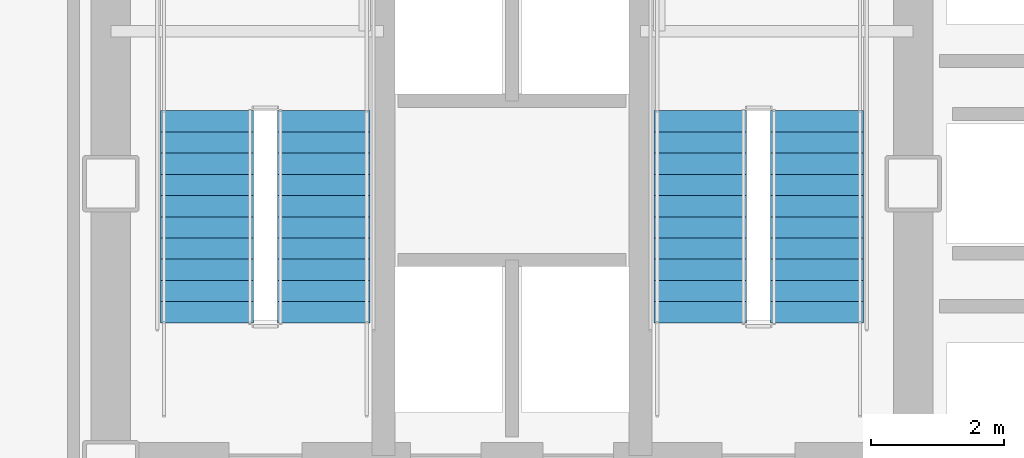
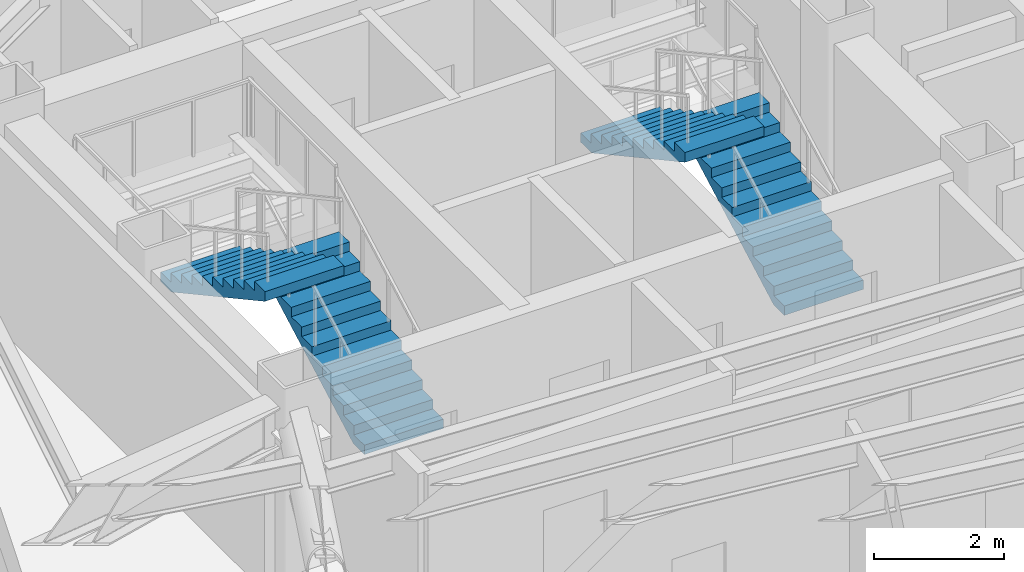
# One storey, part 6 of 8: 4 stair flights, 2 elements without a shape of their own.
"""IFC4 building model written with IfcOpenShell, lengths in metres."""

import ifcopenshell
import ifcopenshell.guid

model = None  # the IFC model being written
_history = None  # IfcOwnerHistory: only IFC2X3 demands one
_inside = {}  # id of a spatial element -> (the spatial element, [elements in it])
_under = {}  # id of a project, library or spatial element -> (it, [spatial elements below it])
_declared = {}  # id of a project -> (the project, [libraries it declares])
_typed = {}  # id of a type object -> (the type object, [elements of that type])
_made_of = {}  # id of a material, layer set ... -> (it, [elements and type objects made of it])


def new_model(schema):
    """Start an empty IFC model of exactly this schema.

    Asked for "IFC4X3", IfcOpenShell would pick the latest addendum, in which some entities
    have other attributes; the version numbers below select the first issue.
    IFC2X3 requires an IfcOwnerHistory on every rooted entity: one is made here for all.
    """
    global model, _history
    if schema == "IFC4X3":
        model = ifcopenshell.file(schema_version=(4, 3, 0, 0))
    else:
        model = ifcopenshell.file(schema=schema)
    _inside.clear()
    _under.clear()
    _declared.clear()
    _typed.clear()
    _made_of.clear()
    _history = None
    if model.schema == "IFC2X3":
        org = make("IfcOrganization", Name="unknown")
        user = make(
            "IfcPersonAndOrganization",
            ThePerson=make("IfcPerson", FamilyName="unknown"),
            TheOrganization=org,
        )
        app = make(
            "IfcApplication",
            ApplicationDeveloper=org,
            Version="unknown",
            ApplicationFullName="unknown",
            ApplicationIdentifier="unknown",
        )
        _history = make(
            "IfcOwnerHistory",
            OwningUser=user,
            OwningApplication=app,
            ChangeAction="ADDED",
            CreationDate=0,
        )
    return model


def make(cls, **values):
    """One entity of the class cls with the attributes given. An attribute that is None is left unset."""
    return model.create_entity(
        cls, **{name: value for name, value in values.items() if value is not None}
    )


def rooted(cls, **values):
    """An entity with a GlobalId (a new one), such as an element, a storey or a relation."""
    return make(cls, GlobalId=ifcopenshell.guid.new(), OwnerHistory=_history, **values)


def si_unit(unit_type, name, prefix=None):
    """IfcSIUnit, for example si_unit("LENGTHUNIT", "METRE", prefix="MILLI")."""
    return make("IfcSIUnit", UnitType=unit_type, Prefix=prefix, Name=name)


def assignment(units):
    """IfcUnitAssignment: the units of a project."""
    return None if units is None else make("IfcUnitAssignment", Units=units)


def point(xyz):
    """IfcCartesianPoint."""
    return None if xyz is None else make("IfcCartesianPoint", Coordinates=xyz)


def direction(xyz):
    """IfcDirection."""
    return None if xyz is None else make("IfcDirection", DirectionRatios=xyz)


def frame(location, z_axis=None, x_axis=None):
    """IfcAxis2Placement3D, a coordinate frame: its origin and axes. An axis left out is left unset."""
    return make(
        "IfcAxis2Placement3D",
        Location=point(location),
        Axis=direction(z_axis),
        RefDirection=direction(x_axis),
    )


def origin():
    """The frame at (0, 0, 0) with its axes left unset."""
    return frame((0.0, 0.0, 0.0))


def place(relative_to, where):
    """IfcLocalPlacement: puts the frame where relative to a parent placement (None: the world)."""
    return make(
        "IfcLocalPlacement", PlacementRelTo=relative_to, RelativePlacement=where
    )


def context(
    kind, dimensions, precision=None, world=None, true_north=None, identifier=None
):
    """IfcGeometricRepresentationContext, for example the 3D "Model" context."""
    return make(
        "IfcGeometricRepresentationContext",
        ContextIdentifier=identifier,
        ContextType=kind,
        CoordinateSpaceDimension=dimensions,
        Precision=precision,
        WorldCoordinateSystem=world,
        TrueNorth=true_north,
    )


def subcontext(parent, identifier, kind, view, scale=None):
    """IfcGeometricRepresentationSubContext, for example "Body" below "Model"."""
    return make(
        "IfcGeometricRepresentationSubContext",
        ContextIdentifier=identifier,
        ContextType=kind,
        ParentContext=parent,
        TargetScale=scale,
        TargetView=view,
    )


def project(units=None, contexts=None):
    """IfcProject with its units and contexts."""
    return rooted(
        "IfcProject",
        Name="project",
        RepresentationContexts=contexts,
        UnitsInContext=assignment(units),
    )


def spatial(cls, under=None, at=None, **own):
    """A site, building, storey or space (cls), placed at a placement, below another one or the project."""
    s = rooted(cls, ObjectPlacement=at, **own)
    if under is not None:
        _under.setdefault(under.id(), (under, []))[1].append(s)
    return s


def polyline(points):
    """IfcPolyline through the points."""
    return make("IfcPolyline", Points=[point(p) for p in points])


def outline(outer, holes=None, kind="AREA"):
    """IfcArbitraryClosedProfileDef: a profile drawn as a closed curve; with holes, ...WithVoids."""
    if holes is None:
        return make("IfcArbitraryClosedProfileDef", ProfileType=kind, OuterCurve=outer)
    return make(
        "IfcArbitraryProfileDefWithVoids",
        ProfileType=kind,
        OuterCurve=outer,
        InnerCurves=holes,
    )


def extrude(swept, where, along, depth):
    """IfcExtrudedAreaSolid: the profile swept, set in the frame where, extruded along a direction by depth."""
    return make(
        "IfcExtrudedAreaSolid",
        SweptArea=swept,
        Position=where,
        ExtrudedDirection=direction(along),
        Depth=depth,
    )


def shape(context_of_items, identifier, shape_type, items):
    """IfcShapeRepresentation: the items that make up one representation, for example the "Body"."""
    return make(
        "IfcShapeRepresentation",
        ContextOfItems=context_of_items,
        RepresentationIdentifier=identifier,
        RepresentationType=shape_type,
        Items=items,
    )


def material(Name=None, Category=None):
    """IfcMaterial."""
    return make("IfcMaterial", Name=Name, Category=Category)


def made_of(thing, what):
    """Note that an element or type object is made of a material, layer set ...; save() writes the relation."""
    if what is not None:
        _made_of.setdefault(what.id(), (what, []))[1].append(thing)
    return thing


def type_object(cls, material=None, **own):
    """A type object (cls), such as IfcWallType, which elements share."""
    return made_of(rooted(cls, **own), material)


def element(
    cls,
    number,
    at=None,
    inside=None,
    cuts=None,
    type_object=None,
    material=None,
    context=None,
    identifier="Body",
    shape_type=None,
    held_by="IfcProductDefinitionShape",
    body=None,
    shapes=None,
    **own,
):
    """One element of the class cls, such as IfcWall. Its Tag is "e" and its number.

    at: its placement. inside: the storey or other place that contains it. cuts: it is an
    opening in that element (IfcRelVoidsElement). A single representation is given by context,
    identifier, shape_type and body (its items); several are given by shapes. held_by: the class
    of the entity that holds the representations. save() writes the other relations.
    """
    e = rooted(cls, Tag="e%d" % number, ObjectPlacement=at, **own)
    if body is not None:
        shapes = [shape(context, identifier, shape_type, body)]
    if shapes is not None:
        e.Representation = make(held_by, Representations=shapes)
    if inside is not None:
        _inside.setdefault(inside.id(), (inside, []))[1].append(e)
    if cuts is not None:
        rooted(
            "IfcRelVoidsElement", RelatingBuildingElement=cuts, RelatedOpeningElement=e
        )
    if type_object is not None:
        _typed.setdefault(type_object.id(), (type_object, []))[1].append(e)
    return made_of(e, material)


def aggregate(whole, parts):
    """IfcRelAggregates: a whole, such as a stair, and the parts it consists of."""
    return rooted("IfcRelAggregates", RelatingObject=whole, RelatedObjects=parts)


def save(model, path):
    """Write the relations noted so far, then the file.

    IfcRelAggregates (storeys below a building ...), IfcRelContainedInSpatialStructure (elements
    in a storey), IfcRelDefinesByType, IfcRelAssociatesMaterial and IfcRelDeclares: one each for
    every whole, place, type object, material and project.
    """
    for whole, parts in _under.values():
        aggregate(whole, parts)
    for where, things in _inside.values():
        rooted(
            "IfcRelContainedInSpatialStructure",
            RelatedElements=things,
            RelatingStructure=where,
        )
    for kind, things in _typed.values():
        rooted("IfcRelDefinesByType", RelatedObjects=things, RelatingType=kind)
    for what, things in _made_of.values():
        rooted("IfcRelAssociatesMaterial", RelatedObjects=things, RelatingMaterial=what)
    for by, libraries in _declared.values():
        rooted("IfcRelDeclares", RelatingContext=by, RelatedDefinitions=libraries)
    model.write(path)


model = new_model("IFC4")

# Units and contexts
model_context = context("Model", 3, precision=1e-05, world=origin(), true_north=direction((0.0, 1.0)))
body_context = subcontext(model_context, "Body", "Model", "MODEL_VIEW")
ifc_project = project(units=[si_unit("LENGTHUNIT", "METRE"), si_unit("AREAUNIT", "SQUARE_METRE"), si_unit("VOLUMEUNIT", "CUBIC_METRE"), si_unit("PLANEANGLEUNIT", "RADIAN"), si_unit("MASSUNIT", "GRAM", prefix="KILO")], contexts=[model_context])

# Site, building, storey
site_placement = place(None, origin())
site = spatial("IfcSite", under=ifc_project, at=site_placement, CompositionType="ELEMENT")
building_placement = place(site_placement, origin())
building = spatial("IfcBuilding", under=site, at=building_placement, Name="Rocaltana Carrier Exchange", CompositionType="ELEMENT")
storey_placement = place(building_placement, frame((0.0, 0.0, 171.52001953125)))
storey = spatial("IfcBuildingStorey", under=building, at=storey_placement, Name="L54", CompositionType="ELEMENT", Elevation=171.52001953125)

# Stair, stair flights
ifc_material_1 = material(Name="Precast concrete C45/55", Category="concrete")
stair_type = type_object("IfcStairType", Name="Standard Dog-Leg Stair 160", PredefinedType="HALF_TURN_STAIR", material=ifc_material_1)
stair_1_placement = place(storey_placement, origin())
stair_1 = element("IfcStair", 1, at=stair_1_placement, inside=storey, type_object=stair_type, Name="L54 Core West Exit Stair ST-1", PredefinedType="HALF_TURN_STAIR")
ifc_material_2 = material(Name="Precast concrete C45/55", Category="concrete")
stair_flight_type = type_object("IfcStairFlightType", Name="Precast Stair Flight 160", PredefinedType="STRAIGHT", material=ifc_material_2)
stair_flight_1_placement = place(storey_placement, frame((-2.840087890625, -2.10009765625, 0.0), z_axis=(0.0, 0.0, 1.0), x_axis=(0.0, 1.0, 0.0)))
stair_flight_1 = element("IfcStairFlight", 2, at=stair_flight_1_placement, type_object=stair_flight_type, Name="ST-1 flight 1", NumberOfRisers=11, NumberOfTreads=10, PredefinedType="STRAIGHT", RiserHeight=0.174545455, TreadLength=0.32, context=body_context, shape_type="SweptSolid", body=[
    extrude(outline(polyline([(0.0, 0.0), (0.0, 0.174560546875), (0.320068359375, 0.174560546875), (0.320068359375, 0.34912109375), (0.639892578125, 0.34912109375), (0.639892578125, 0.523681640625), (0.9599609375, 0.523681640625), (0.9599609375, 0.6982421875), (1.280029296875, 0.6982421875), (1.280029296875, 0.872802734375), (1.60009765625, 0.872802734375), (1.60009765625, 1.04736328125), (1.919921875, 1.04736328125), (1.919921875, 1.221923828125), (2.239990234375, 1.221923828125), (2.239990234375, 1.396484375), (2.56005859375, 1.396484375), (2.56005859375, 1.57080078125), (2.8798828125, 1.57080078125), (2.8798828125, 1.745361328125), (3.199951171875, 1.745361328125), (3.199951171875, 1.919921875), (3.199951171875, 1.563232421875), (0.333984375, 0.0), (0.0, 0.0)])), frame((0.0, 0.699951171875, 0.0), z_axis=(0.0, -1.0, 0.0), x_axis=(1.0, 0.0, 0.0)), (0.0, 0.0, 1.0), 1.39990234375),
])
stair_flight_2_placement = place(storey_placement, frame((-4.60009765625, 1.10009765625, 1.919921875), z_axis=(0.0, 0.0, 1.0), x_axis=(0.0, -1.0, 0.0)))
stair_flight_2 = element("IfcStairFlight", 3, at=stair_flight_2_placement, type_object=stair_flight_type, Name="ST-1 flight 2", NumberOfRisers=11, NumberOfTreads=10, PredefinedType="STRAIGHT", RiserHeight=0.174545455, TreadLength=0.32, context=body_context, shape_type="SweptSolid", body=[
    extrude(outline(polyline([(0.0, 0.0), (0.0, 0.174560546875), (0.320068359375, 0.174560546875), (0.320068359375, 0.34912109375), (0.639892578125, 0.34912109375), (0.639892578125, 0.523681640625), (0.9599609375, 0.523681640625), (0.9599609375, 0.6982421875), (1.280029296875, 0.6982421875), (1.280029296875, 0.872802734375), (1.60009765625, 0.872802734375), (1.60009765625, 1.04736328125), (1.919921875, 1.04736328125), (1.919921875, 1.221923828125), (2.239990234375, 1.221923828125), (2.239990234375, 1.396484375), (2.56005859375, 1.396484375), (2.56005859375, 1.57080078125), (2.8798828125, 1.57080078125), (2.8798828125, 1.745361328125), (3.199951171875, 1.745361328125), (3.199951171875, 1.919921875), (3.199951171875, 1.563232421875), (0.333984375, 0.0), (0.0, 0.0)])), frame((0.0, 0.699951171875, 0.0), z_axis=(0.0, -1.0, 0.0), x_axis=(1.0, 0.0, 0.0)), (0.0, 0.0, 1.0), 1.39990234375),
])
aggregate(stair_1, [stair_flight_1, stair_flight_2])

stair_2_placement = place(storey_placement, origin())
stair_2 = element("IfcStair", 4, at=stair_2_placement, inside=storey, type_object=stair_type, Name="L54 Core East Exit Stair ST-2", PredefinedType="HALF_TURN_STAIR")
stair_flight_3_placement = place(storey_placement, frame((4.60009765625, -2.10009765625, 0.0), z_axis=(0.0, 0.0, 1.0), x_axis=(0.0, 1.0, 0.0)))
stair_flight_3 = element("IfcStairFlight", 5, at=stair_flight_3_placement, type_object=stair_flight_type, Name="ST-2 flight 1", NumberOfRisers=11, NumberOfTreads=10, PredefinedType="STRAIGHT", RiserHeight=0.174545455, TreadLength=0.32, context=body_context, shape_type="SweptSolid", body=[
    extrude(outline(polyline([(0.0, 0.0), (0.0, 0.174560546875), (0.320068359375, 0.174560546875), (0.320068359375, 0.34912109375), (0.639892578125, 0.34912109375), (0.639892578125, 0.523681640625), (0.9599609375, 0.523681640625), (0.9599609375, 0.6982421875), (1.280029296875, 0.6982421875), (1.280029296875, 0.872802734375), (1.60009765625, 0.872802734375), (1.60009765625, 1.04736328125), (1.919921875, 1.04736328125), (1.919921875, 1.221923828125), (2.239990234375, 1.221923828125), (2.239990234375, 1.396484375), (2.56005859375, 1.396484375), (2.56005859375, 1.57080078125), (2.8798828125, 1.57080078125), (2.8798828125, 1.745361328125), (3.199951171875, 1.745361328125), (3.199951171875, 1.919921875), (3.199951171875, 1.563232421875), (0.333984375, 0.0), (0.0, 0.0)])), frame((0.0, 0.699951171875, 0.0), z_axis=(0.0, -1.0, 0.0), x_axis=(1.0, 0.0, 0.0)), (0.0, 0.0, 1.0), 1.39990234375),
])
stair_flight_4_placement = place(storey_placement, frame((2.840087890625, 1.10009765625, 1.919921875), z_axis=(0.0, 0.0, 1.0), x_axis=(0.0, -1.0, 0.0)))
stair_flight_4 = element("IfcStairFlight", 6, at=stair_flight_4_placement, type_object=stair_flight_type, Name="ST-2 flight 2", NumberOfRisers=11, NumberOfTreads=10, PredefinedType="STRAIGHT", RiserHeight=0.174545455, TreadLength=0.32, context=body_context, shape_type="SweptSolid", body=[
    extrude(outline(polyline([(0.0, 0.0), (0.0, 0.174560546875), (0.320068359375, 0.174560546875), (0.320068359375, 0.34912109375), (0.639892578125, 0.34912109375), (0.639892578125, 0.523681640625), (0.9599609375, 0.523681640625), (0.9599609375, 0.6982421875), (1.280029296875, 0.6982421875), (1.280029296875, 0.872802734375), (1.60009765625, 0.872802734375), (1.60009765625, 1.04736328125), (1.919921875, 1.04736328125), (1.919921875, 1.221923828125), (2.239990234375, 1.221923828125), (2.239990234375, 1.396484375), (2.56005859375, 1.396484375), (2.56005859375, 1.57080078125), (2.8798828125, 1.57080078125), (2.8798828125, 1.745361328125), (3.199951171875, 1.745361328125), (3.199951171875, 1.919921875), (3.199951171875, 1.563232421875), (0.333984375, 0.0), (0.0, 0.0)])), frame((0.0, 0.699951171875, 0.0), z_axis=(0.0, -1.0, 0.0), x_axis=(1.0, 0.0, 0.0)), (0.0, 0.0, 1.0), 1.39990234375),
])
aggregate(stair_2, [stair_flight_3, stair_flight_4])

save(model, "model.ifc")
